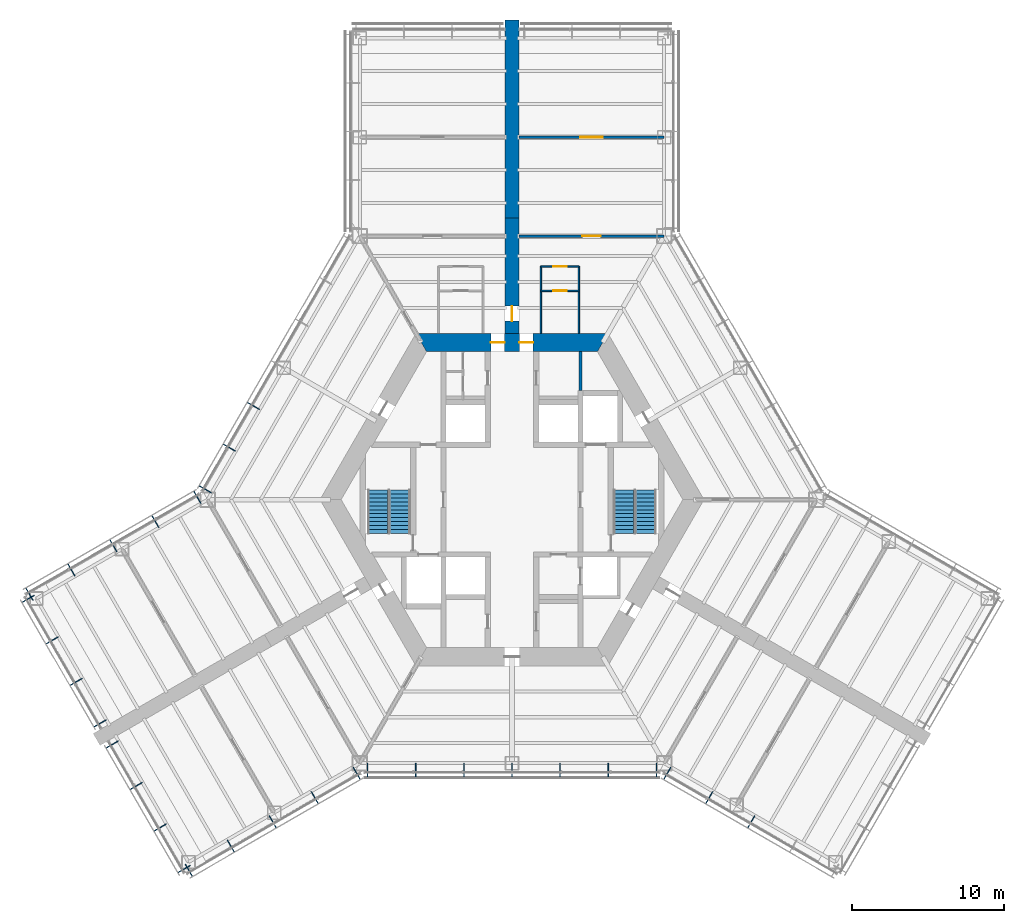
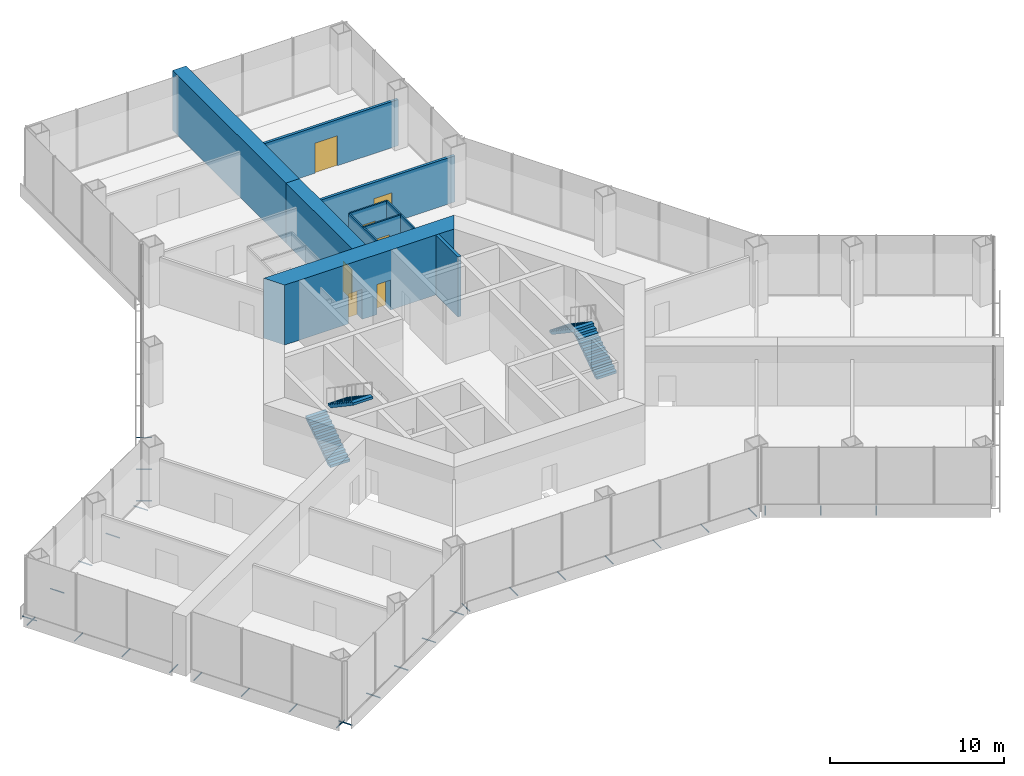
# One storey, part 13 of 15: 31 discrete accessories, 10 walls, 7 doors, 4 stair flights, 7 openings, 2 elements without a shape of their own.
"""IFC4 building model written with IfcOpenShell, lengths in metres."""

from ifc_helpers import new_model, si_unit, direction, frame, frame_2d, origin, origin_2d, place, context, subcontext, project, spatial, polyline, rectangle, hollow_circle, outline, extrude, material, layer, layer_set, material_profile, profile_set, type_object, element, fill, aggregate, save


model = new_model("IFC4")

# Units and contexts
model_context = context("Model", 3, precision=1e-05, world=origin(), true_north=direction((0.0, 1.0)))
body_context = subcontext(model_context, "Body", "Model", "MODEL_VIEW")
ifc_project = project(units=[si_unit("LENGTHUNIT", "METRE"), si_unit("AREAUNIT", "SQUARE_METRE"), si_unit("VOLUMEUNIT", "CUBIC_METRE"), si_unit("PLANEANGLEUNIT", "RADIAN"), si_unit("MASSUNIT", "GRAM", prefix="KILO")], contexts=[model_context])

# Site, building, storey
site_placement = place(None, origin())
site = spatial("IfcSite", under=ifc_project, at=site_placement, CompositionType="ELEMENT")
building_placement = place(site_placement, origin())
building = spatial("IfcBuilding", under=site, at=building_placement, Name="Kasaneha Research Tower", CompositionType="ELEMENT")
storey_placement = place(building_placement, frame((0.0, 0.0, 31.0)))
storey = spatial("IfcBuildingStorey", under=building, at=storey_placement, Name="L08", CompositionType="ELEMENT", Elevation=31.0)

# Wall, openings, doors
ifc_material_1 = material(Name="Concrete Fc100", Category="concrete")
ifc_layer_1 = layer(ifc_material_1, 1.199951171875)
ifc_layer_set_1 = layer_set([ifc_layer_1], Name="Core wall 1200 Fc100")
wall_type_1 = type_object("IfcWallType", Name="Core wall 1200 Fc100", PredefinedType="SHEAR", material=ifc_layer_set_1)
wall_1_placement = place(storey_placement, frame((5.961181640625, 10.324951171875, 0.0), z_axis=(0.0, 0.0, 1.0), x_axis=(-1.0, 0.0, 0.0)))
wall_1 = element("IfcWall", 1, at=wall_1_placement, inside=storey, type_object=wall_type_1, Name="Core wall 090 L08", PredefinedType="SHEAR", context=body_context, shape_type="SweptSolid", body=[
    extrude(outline(polyline([(-0.346435546875, -0.60009765625), (4.57373046875, -0.60009765625), (5.4736328125, -0.60009765625), (6.44873046875, -0.60009765625), (7.3486328125, -0.60009765625), (12.268798828125, -0.60009765625), (11.575927734375, 0.60009765625), (7.3486328125, 0.60009765625), (6.44873046875, 0.60009765625), (5.4736328125, 0.60009765625), (4.57373046875, 0.60009765625), (0.346435546875, 0.60009765625), (-0.346435546875, -0.60009765625)])), origin(), (0.0, 0.0, 1.0), 4.199951171875),
])
opening_1_placement = place(wall_1_placement, frame((6.44873046875, 0.0, 0.0)))
opening_1 = element("IfcOpeningElement", 2, at=opening_1_placement, cuts=wall_1, Name="Opening L08-D01", PredefinedType="OPENING", context=body_context, shape_type="SweptSolid", body=[
    extrude(rectangle(XDim=0.89990234375, YDim=2.10009765625, at=frame_2d((0.449951171875, 1.050048828125))), frame((0.0, 0.60986328125, 0.0), z_axis=(0.0, -1.0, 0.0), x_axis=(1.0, 0.0, 0.0)), (0.0, 0.0, 1.0), 1.219970703125),
])
opening_2_placement = place(wall_1_placement, frame((4.57373046875, 0.0, 0.0)))
opening_2 = element("IfcOpeningElement", 3, at=opening_2_placement, cuts=wall_1, Name="Opening L08-D02", PredefinedType="OPENING", context=body_context, shape_type="SweptSolid", body=[
    extrude(rectangle(XDim=0.89990234375, YDim=2.10009765625, at=frame_2d((0.449951171875, 1.050048828125))), frame((0.0, 0.60986328125, 0.0), z_axis=(0.0, -1.0, 0.0), x_axis=(1.0, 0.0, 0.0)), (0.0, 0.0, 1.0), 1.219970703125),
])
ifc_material_2 = material(Name="Steel", Category="steel")
door_type_1 = type_object("IfcDoorType", Name="Toilet door FD20 900x2100", OperationType="NOTDEFINED", PredefinedType="DOOR", material=ifc_material_2)
door_1_placement = place(opening_1_placement, origin())
door_1 = element("IfcDoor", 4, at=door_1_placement, inside=storey, type_object=door_type_1, Name="Core door north 1 L08-D01", OperationType="SINGLE_SWING_RIGHT", OverallHeight=2.10009765625, OverallWidth=0.89990234375, PredefinedType="DOOR", context=body_context, shape_type="SweptSolid", body=[
    extrude(rectangle(XDim=0.89990234375, YDim=2.10009765625, at=frame_2d((0.449951171875, 1.050048828125))), frame((0.0, 0.02490234375, 0.0), z_axis=(0.0, -1.0, 0.0), x_axis=(1.0, 0.0, 0.0)), (0.0, 0.0, 1.0), 0.050048828125),
])
fill(opening_1, door_1)
door_2_placement = place(opening_2_placement, origin())
door_2 = element("IfcDoor", 5, at=door_2_placement, inside=storey, type_object=door_type_1, Name="Core door north 2 L08-D02", OperationType="SINGLE_SWING_LEFT", OverallHeight=2.10009765625, OverallWidth=0.89990234375, PredefinedType="DOOR", context=body_context, shape_type="SweptSolid", body=[
    extrude(rectangle(XDim=0.89990234375, YDim=2.10009765625, at=frame_2d((0.449951171875, 1.050048828125))), frame((0.0, 0.02490234375, 0.0), z_axis=(0.0, -1.0, 0.0), x_axis=(1.0, 0.0, 0.0)), (0.0, 0.0, 1.0), 0.050048828125),
])
fill(opening_2, door_2)

# Wall, opening, door
ifc_material_3 = material(Name="Gypsum board on steel studs, two layers each side", Category="steel")
ifc_layer_2 = layer(ifc_material_3, 0.175048828125)
ifc_layer_set_2 = layer_set([ifc_layer_2], Name="Laboratory fire partition 175")
wall_type_2 = type_object("IfcWallType", Name="Laboratory fire partition 175", PredefinedType="PARTITIONING", material=ifc_layer_set_2)
wall_2_placement = place(storey_placement, frame((0.449951171875, 17.320556640625, 0.0), z_axis=(0.0, 0.0, 1.0), x_axis=(1.0, 0.0, 0.0)))
wall_2 = element("IfcWall", 6, at=wall_2_placement, inside=storey, type_object=wall_type_2, Name="Laboratory fire partition LABA-E L08", PredefinedType="PARTITIONING", context=body_context, shape_type="SweptSolid", body=[
    extrude(rectangle(XDim=9.550048828125, YDim=0.175048828125, at=frame_2d((4.77490234375, 0.0))), origin(), (0.0, 0.0, 1.0), 3.238037109375),
])
opening_3_placement = place(wall_2_placement, frame((4.175048828125, 0.0, 0.0)))
opening_3 = element("IfcOpeningElement", 7, at=opening_3_placement, cuts=wall_2, Name="Opening L08-D27", PredefinedType="OPENING", context=body_context, shape_type="SweptSolid", body=[
    extrude(rectangle(XDim=1.199951171875, YDim=2.10009765625, at=frame_2d((0.60009765625, 1.050048828125))), frame((0.0, 0.09765625, 0.0), z_axis=(0.0, -1.0, 0.0), x_axis=(1.0, 0.0, 0.0)), (0.0, 0.0, 1.0), 0.195068359375),
])
ifc_material_4 = material(Name="Steel", Category="steel")
door_type_2 = type_object("IfcDoorType", Name="Laboratory door FD60 1200x2100", OperationType="DOUBLE_DOOR_SINGLE_SWING", PredefinedType="DOOR", material=ifc_material_4)
door_3_placement = place(opening_3_placement, origin())
door_3 = element("IfcDoor", 8, at=door_3_placement, inside=storey, type_object=door_type_2, Name="Laboratory door L08-D27", OperationType="DOUBLE_DOOR_SINGLE_SWING", OverallHeight=2.10009765625, OverallWidth=1.199951171875, PredefinedType="DOOR", context=body_context, shape_type="SweptSolid", body=[
    extrude(rectangle(XDim=1.199951171875, YDim=2.10009765625, at=frame_2d((0.60009765625, 1.050048828125))), frame((0.0, 0.02490234375, 0.0), z_axis=(0.0, -1.0, 0.0), x_axis=(1.0, 0.0, 0.0)), (0.0, 0.0, 1.0), 0.050048828125),
])
fill(opening_3, door_3)

wall_3_placement = place(storey_placement, frame((0.449951171875, 23.820556640625, 0.0), z_axis=(0.0, 0.0, 1.0), x_axis=(1.0, 0.0, 0.0)))
wall_3 = element("IfcWall", 9, at=wall_3_placement, inside=storey, type_object=wall_type_2, Name="Laboratory fire partition INSA-E L08", PredefinedType="PARTITIONING", context=body_context, shape_type="SweptSolid", body=[
    extrude(rectangle(XDim=9.550048828125, YDim=0.175048828125, at=frame_2d((4.77490234375, 0.0))), origin(), (0.0, 0.0, 1.0), 3.22998046875),
])
opening_4_placement = place(wall_3_placement, frame((4.02490234375, 0.0, 0.0)))
opening_4 = element("IfcOpeningElement", 10, at=opening_4_placement, cuts=wall_3, Name="Opening L08-D28", PredefinedType="OPENING", context=body_context, shape_type="SweptSolid", body=[
    extrude(rectangle(XDim=1.5, YDim=2.10009765625, at=frame_2d((0.75, 1.050048828125))), frame((0.0, 0.09765625, 0.0), z_axis=(0.0, -1.0, 0.0), x_axis=(1.0, 0.0, 0.0)), (0.0, 0.0, 1.0), 0.195068359375),
])
ifc_material_5 = material(Name="Steel", Category="steel")
door_type_3 = type_object("IfcDoorType", Name="Laboratory door FD60 1500x2100", OperationType="DOUBLE_DOOR_SINGLE_SWING", PredefinedType="DOOR", material=ifc_material_5)
door_4_placement = place(opening_4_placement, origin())
door_4 = element("IfcDoor", 11, at=door_4_placement, inside=storey, type_object=door_type_3, Name="Instrument room door L08-D28", OperationType="DOUBLE_DOOR_SINGLE_SWING", OverallHeight=2.10009765625, OverallWidth=1.5, PredefinedType="DOOR", context=body_context, shape_type="SweptSolid", body=[
    extrude(rectangle(XDim=1.5, YDim=2.10009765625, at=frame_2d((0.75, 1.050048828125))), frame((0.0, 0.02490234375, 0.0), z_axis=(0.0, -1.0, 0.0), x_axis=(1.0, 0.0, 0.0)), (0.0, 0.0, 1.0), 0.050048828125),
])
fill(opening_4, door_4)

ifc_material_6 = material(Name="Gypsum board on steel studs, one layer each side", Category="steel")
ifc_layer_3 = layer(ifc_material_6, 0.10009765625)
ifc_layer_set_3 = layer_set([ifc_layer_3], Name="Office partition 100")
wall_type_3 = type_object("IfcWallType", Name="Office partition 100", PredefinedType="PARTITIONING", material=ifc_layer_set_3)
wall_4_placement = place(storey_placement, frame((1.89990234375, 13.72509765625, 0.0), z_axis=(0.0, 0.0, 1.0), x_axis=(1.0, 0.0, 0.0)))
wall_4 = element("IfcWall", 12, at=wall_4_placement, inside=storey, type_object=wall_type_3, Name="Office partition WCAE1 L08", PredefinedType="PARTITIONING", context=body_context, shape_type="SweptSolid", body=[
    extrude(rectangle(XDim=2.5, YDim=0.10009765625, at=frame_2d((1.25, 0.0))), origin(), (0.0, 0.0, 1.0), 3.22998046875),
])
opening_5_placement = place(wall_4_placement, frame((0.800048828125, 0.0, 0.0)))
opening_5 = element("IfcOpeningElement", 13, at=opening_5_placement, cuts=wall_4, Name="Opening L08-D25", PredefinedType="OPENING", context=body_context, shape_type="SweptSolid", body=[
    extrude(rectangle(XDim=0.89990234375, YDim=2.10009765625, at=frame_2d((0.449951171875, 1.050048828125))), frame((0.0, 0.06005859375, 0.0), z_axis=(0.0, -1.0, 0.0), x_axis=(1.0, 0.0, 0.0)), (0.0, 0.0, 1.0), 0.1201171875),
])
ifc_material_7 = material(Name="Steel", Category="steel")
door_type_4 = type_object("IfcDoorType", Name="Toilet lobby door FD30 900x2100", OperationType="NOTDEFINED", PredefinedType="DOOR", material=ifc_material_7)
door_5_placement = place(opening_5_placement, origin())
door_5 = element("IfcDoor", 14, at=door_5_placement, inside=storey, type_object=door_type_4, Name="Women's WC door L08-D25", OperationType="SINGLE_SWING_LEFT", OverallHeight=2.10009765625, OverallWidth=0.89990234375, PredefinedType="DOOR", context=body_context, shape_type="SweptSolid", body=[
    extrude(rectangle(XDim=0.89990234375, YDim=2.10009765625, at=frame_2d((0.449951171875, 1.050048828125))), frame((0.0, 0.02490234375, 0.0), z_axis=(0.0, -1.0, 0.0), x_axis=(1.0, 0.0, 0.0)), (0.0, 0.0, 1.0), 0.050048828125),
])
fill(opening_5, door_5)

wall_5_placement = place(storey_placement, frame((1.89990234375, 15.324951171875, 0.0), z_axis=(0.0, 0.0, 1.0), x_axis=(1.0, 0.0, 0.0)))
wall_5 = element("IfcWall", 15, at=wall_5_placement, inside=storey, type_object=wall_type_3, Name="Office partition WCAE4 L08", PredefinedType="PARTITIONING", context=body_context, shape_type="SweptSolid", body=[
    extrude(rectangle(XDim=2.5, YDim=0.10009765625, at=frame_2d((1.25, 0.0))), origin(), (0.0, 0.0, 1.0), 3.22998046875),
])
opening_6_placement = place(wall_5_placement, frame((0.800048828125, 0.0, 0.0)))
opening_6 = element("IfcOpeningElement", 16, at=opening_6_placement, cuts=wall_5, Name="Opening L08-D26", PredefinedType="OPENING", context=body_context, shape_type="SweptSolid", body=[
    extrude(rectangle(XDim=0.89990234375, YDim=2.10009765625, at=frame_2d((0.449951171875, 1.050048828125))), frame((0.0, 0.06005859375, 0.0), z_axis=(0.0, -1.0, 0.0), x_axis=(1.0, 0.0, 0.0)), (0.0, 0.0, 1.0), 0.1201171875),
])
door_6_placement = place(opening_6_placement, origin())
door_6 = element("IfcDoor", 17, at=door_6_placement, inside=storey, type_object=door_type_4, Name="Toilet lobby door L08-D26", OperationType="SINGLE_SWING_LEFT", OverallHeight=2.10009765625, OverallWidth=0.89990234375, PredefinedType="DOOR", context=body_context, shape_type="SweptSolid", body=[
    extrude(rectangle(XDim=0.89990234375, YDim=2.10009765625, at=frame_2d((0.449951171875, 1.050048828125))), frame((0.0, 0.02490234375, 0.0), z_axis=(0.0, -1.0, 0.0), x_axis=(1.0, 0.0, 0.0)), (0.0, 0.0, 1.0), 0.050048828125),
])
fill(opening_6, door_6)

# Walls
for number, where, z_axis, x_axis, name in (
    (18, (1.89990234375, 10.925048828125, 0.0), (0.0, 0.0, 1.0), (0.0, 1.0, 0.0), "Office partition WCAE2 L08"),
    (19, (4.39990234375, 10.925048828125, 0.0), (0.0, 0.0, 1.0), (0.0, 1.0, 0.0), "Office partition WCAE3 L08"),
):
    element("IfcWall", number, at=place(storey_placement, frame(where, z_axis=z_axis, x_axis=x_axis)), inside=storey, type_object=wall_type_3, Name=name, PredefinedType="PARTITIONING", context=body_context, shape_type="SweptSolid", body=[
        extrude(rectangle(XDim=4.39990234375, YDim=0.10009765625, at=frame_2d((2.199951171875, 0.0))), origin(), (0.0, 0.0, 1.0), 3.22998046875),
    ])
ifc_material_8 = material(Name="Concrete block", Category="concrete")
ifc_layer_4 = layer(ifc_material_8, 0.199951171875)
ifc_layer_set_4 = layer_set([ifc_layer_4], Name="Riser enclosure wall 200")
wall_type_4 = type_object("IfcWallType", Name="Riser enclosure wall 200", PredefinedType="STANDARD", material=ifc_layer_set_4)
wall_6_placement = place(storey_placement, frame((4.5, 7.175048828125, 0.0), z_axis=(0.0, 0.0, 1.0), x_axis=(0.0, 1.0, 0.0)))
element("IfcWall", 20, at=wall_6_placement, inside=storey, type_object=wall_type_4, Name="Riser enclosure wall L08", PredefinedType="STANDARD", context=body_context, shape_type="SweptSolid", body=[
    extrude(rectangle(XDim=2.550048828125, YDim=0.199951171875, at=frame_2d((1.27490234375, 0.0))), origin(), (0.0, 0.0, 1.0), 4.199951171875),
])

# Wall, opening, door
ifc_material_9 = material(Name="Concrete Fc100", Category="concrete")
ifc_layer_5 = layer(ifc_material_9, 0.89990234375)
ifc_layer_set_5 = layer_set([ifc_layer_5], Name="Spine wall 900 Fc100")
wall_type_5 = type_object("IfcWallType", Name="Spine wall 900 Fc100", PredefinedType="SHEAR", material=ifc_layer_set_5)
wall_7_placement = place(storey_placement, frame((0.0, 10.925048828125, 0.0), z_axis=(0.0, 0.0, 1.0), x_axis=(0.0, 1.0, 0.0)))
wall_7 = element("IfcWall", 21, at=wall_7_placement, inside=storey, type_object=wall_type_5, Name="Spine wall A L08", PredefinedType="SHEAR", context=body_context, shape_type="SweptSolid", body=[
    extrude(rectangle(XDim=7.595458984375, YDim=0.89990234375, at=frame_2d((3.7978515625, 0.0))), origin(), (0.0, 0.0, 1.0), 4.199951171875),
])
opening_7_placement = place(wall_7_placement, frame((0.800048828125, 0.0, 0.0)))
opening_7 = element("IfcOpeningElement", 22, at=opening_7_placement, cuts=wall_7, Name="Opening L08-D17", PredefinedType="OPENING", context=body_context, shape_type="SweptSolid", body=[
    extrude(rectangle(XDim=1.0, YDim=2.10009765625, at=frame_2d((0.5, 1.050048828125))), frame((0.0, 0.4599609375, 0.0), z_axis=(0.0, -1.0, 0.0), x_axis=(1.0, 0.0, 0.0)), (0.0, 0.0, 1.0), 0.919921875),
])
ifc_material_10 = material(Name="Steel", Category="steel")
door_type_5 = type_object("IfcDoorType", Name="Specified fire door FD60 1000x2100", OperationType="NOTDEFINED", PredefinedType="DOOR", material=ifc_material_10)
door_7_placement = place(opening_7_placement, origin())
door_7 = element("IfcDoor", 23, at=door_7_placement, inside=storey, type_object=door_type_5, Name="Spine doorway A L08-D17", OperationType="SINGLE_SWING_LEFT", OverallHeight=2.10009765625, OverallWidth=1.0, PredefinedType="DOOR", context=body_context, shape_type="SweptSolid", body=[
    extrude(rectangle(XDim=1.0, YDim=2.10009765625, at=frame_2d((0.5, 1.050048828125))), frame((0.0, 0.02490234375, 0.0), z_axis=(0.0, -1.0, 0.0), x_axis=(1.0, 0.0, 0.0)), (0.0, 0.0, 1.0), 0.050048828125),
])
fill(opening_7, door_7)

# Wall
wall_8_placement = place(storey_placement, frame((0.0, 18.5205078125, 0.0), z_axis=(0.0, 0.0, 1.0), x_axis=(0.0, 1.0, 0.0)))
element("IfcWall", 24, at=wall_8_placement, inside=storey, type_object=wall_type_5, Name="Spine wall A wing L08", PredefinedType="SHEAR", context=body_context, shape_type="SweptSolid", body=[
    extrude(rectangle(XDim=13.0, YDim=0.89990234375, at=frame_2d((6.5, 0.0))), origin(), (0.0, 0.0, 1.0), 4.199951171875),
])

# Stair, stair flights
ifc_material_11 = material(Name="Concrete Fc24", Category="concrete")
stair_type = type_object("IfcStairType", Name="Half-turn stair 24 risers", PredefinedType="HALF_TURN_STAIR", material=ifc_material_11)
stair_1_placement = place(storey_placement, origin())
stair_1 = element("IfcStair", 25, at=stair_1_placement, inside=storey, type_object=stair_type, Name="Stair 1 L08", PredefinedType="HALF_TURN_STAIR")
ifc_material_12 = material(Name="Concrete Fc24", Category="concrete")
stair_flight_type = type_object("IfcStairFlightType", Name="Stair flight 12 risers 175.0", PredefinedType="STRAIGHT", material=ifc_material_12)
stair_flight_1_placement = place(storey_placement, frame((8.824951171875, -2.22509765625, 0.0), z_axis=(0.0, 0.0, 1.0), x_axis=(0.0, 1.0, 0.0)))
stair_flight_1 = element("IfcStairFlight", 26, at=stair_flight_1_placement, type_object=stair_flight_type, Name="ST1-24R flight 1", NumberOfRisers=12, NumberOfTreads=11, PredefinedType="STRAIGHT", RiserHeight=0.175, TreadLength=0.26, context=body_context, shape_type="SweptSolid", body=[
    extrude(outline(polyline([(0.0, 0.0), (0.0, 0.175048828125), (0.260009765625, 0.175048828125), (0.260009765625, 0.35009765625), (0.52001953125, 0.35009765625), (0.52001953125, 0.52490234375), (0.780029296875, 0.52490234375), (0.780029296875, 0.699951171875), (1.0400390625, 0.699951171875), (1.0400390625, 0.875), (1.300048828125, 0.875), (1.300048828125, 1.050048828125), (1.56005859375, 1.050048828125), (1.56005859375, 1.22509765625), (1.820068359375, 1.22509765625), (1.820068359375, 1.39990234375), (2.080078125, 1.39990234375), (2.080078125, 1.574951171875), (2.340087890625, 1.574951171875), (2.340087890625, 1.75), (2.60009765625, 1.75), (2.60009765625, 1.925048828125), (2.860107421875, 1.925048828125), (2.860107421875, 2.10009765625), (2.860107421875, 1.744384765625), (0.2685546875, 0.0), (0.0, 0.0)])), frame((0.0, 0.64990234375, 0.0), z_axis=(0.0, -1.0, 0.0), x_axis=(1.0, 0.0, 0.0)), (0.0, 0.0, 1.0), 1.300048828125),
])
stair_flight_2_placement = place(storey_placement, frame((7.324951171875, 0.635009765625, 2.10009765625), z_axis=(0.0, 0.0, 1.0), x_axis=(0.0, -1.0, 0.0)))
stair_flight_2 = element("IfcStairFlight", 27, at=stair_flight_2_placement, type_object=stair_flight_type, Name="ST1-24R flight 2", NumberOfRisers=12, NumberOfTreads=11, PredefinedType="STRAIGHT", RiserHeight=0.175, TreadLength=0.26, context=body_context, shape_type="SweptSolid", body=[
    extrude(outline(polyline([(0.0, 0.0), (0.0, 0.175048828125), (0.260009765625, 0.175048828125), (0.260009765625, 0.35009765625), (0.52001953125, 0.35009765625), (0.52001953125, 0.52490234375), (0.780029296875, 0.52490234375), (0.780029296875, 0.699951171875), (1.0400390625, 0.699951171875), (1.0400390625, 0.875), (1.300048828125, 0.875), (1.300048828125, 1.050048828125), (1.56005859375, 1.050048828125), (1.56005859375, 1.22509765625), (1.820068359375, 1.22509765625), (1.820068359375, 1.39990234375), (2.080078125, 1.39990234375), (2.080078125, 1.574951171875), (2.340087890625, 1.574951171875), (2.340087890625, 1.75), (2.60009765625, 1.75), (2.60009765625, 1.925048828125), (2.860107421875, 1.925048828125), (2.860107421875, 2.10009765625), (2.860107421875, 1.744384765625), (0.2685546875, 0.0), (0.0, 0.0)])), frame((0.0, 0.64990234375, 0.0), z_axis=(0.0, -1.0, 0.0), x_axis=(1.0, 0.0, 0.0)), (0.0, 0.0, 1.0), 1.300048828125),
])
aggregate(stair_1, [stair_flight_1, stair_flight_2])

stair_2_placement = place(storey_placement, origin())
stair_2 = element("IfcStair", 28, at=stair_2_placement, inside=storey, type_object=stair_type, Name="Stair 2 L08", PredefinedType="HALF_TURN_STAIR")
stair_flight_3_placement = place(storey_placement, frame((-8.824951171875, -2.22509765625, 0.0), z_axis=(0.0, 0.0, 1.0), x_axis=(0.0, 1.0, 0.0)))
stair_flight_3 = element("IfcStairFlight", 29, at=stair_flight_3_placement, type_object=stair_flight_type, Name="ST2-24R flight 1", NumberOfRisers=12, NumberOfTreads=11, PredefinedType="STRAIGHT", RiserHeight=0.175, TreadLength=0.26, context=body_context, shape_type="SweptSolid", body=[
    extrude(outline(polyline([(0.0, 0.0), (0.0, 0.175048828125), (0.260009765625, 0.175048828125), (0.260009765625, 0.35009765625), (0.52001953125, 0.35009765625), (0.52001953125, 0.52490234375), (0.780029296875, 0.52490234375), (0.780029296875, 0.699951171875), (1.0400390625, 0.699951171875), (1.0400390625, 0.875), (1.300048828125, 0.875), (1.300048828125, 1.050048828125), (1.56005859375, 1.050048828125), (1.56005859375, 1.22509765625), (1.820068359375, 1.22509765625), (1.820068359375, 1.39990234375), (2.080078125, 1.39990234375), (2.080078125, 1.574951171875), (2.340087890625, 1.574951171875), (2.340087890625, 1.75), (2.60009765625, 1.75), (2.60009765625, 1.925048828125), (2.860107421875, 1.925048828125), (2.860107421875, 2.10009765625), (2.860107421875, 1.744384765625), (0.2685546875, 0.0), (0.0, 0.0)])), frame((0.0, 0.64990234375, 0.0), z_axis=(0.0, -1.0, 0.0), x_axis=(1.0, 0.0, 0.0)), (0.0, 0.0, 1.0), 1.300048828125),
])
stair_flight_4_placement = place(storey_placement, frame((-7.324951171875, 0.635009765625, 2.10009765625), z_axis=(0.0, 0.0, 1.0), x_axis=(0.0, -1.0, 0.0)))
stair_flight_4 = element("IfcStairFlight", 30, at=stair_flight_4_placement, type_object=stair_flight_type, Name="ST2-24R flight 2", NumberOfRisers=12, NumberOfTreads=11, PredefinedType="STRAIGHT", RiserHeight=0.175, TreadLength=0.26, context=body_context, shape_type="SweptSolid", body=[
    extrude(outline(polyline([(0.0, 0.0), (0.0, 0.175048828125), (0.260009765625, 0.175048828125), (0.260009765625, 0.35009765625), (0.52001953125, 0.35009765625), (0.52001953125, 0.52490234375), (0.780029296875, 0.52490234375), (0.780029296875, 0.699951171875), (1.0400390625, 0.699951171875), (1.0400390625, 0.875), (1.300048828125, 0.875), (1.300048828125, 1.050048828125), (1.56005859375, 1.050048828125), (1.56005859375, 1.22509765625), (1.820068359375, 1.22509765625), (1.820068359375, 1.39990234375), (2.080078125, 1.39990234375), (2.080078125, 1.574951171875), (2.340087890625, 1.574951171875), (2.340087890625, 1.75), (2.60009765625, 1.75), (2.60009765625, 1.925048828125), (2.860107421875, 1.925048828125), (2.860107421875, 2.10009765625), (2.860107421875, 1.744384765625), (0.2685546875, 0.0), (0.0, 0.0)])), frame((0.0, 0.64990234375, 0.0), z_axis=(0.0, -1.0, 0.0), x_axis=(1.0, 0.0, 0.0)), (0.0, 0.0, 1.0), 1.300048828125),
])
aggregate(stair_2, [stair_flight_3, stair_flight_4])

# Discrete accessories
ifc_material_13 = material(Name="Steel STK400", Category="steel")
ifc_material_profile = material_profile(ifc_material_13, hollow_circle(Radius=0.0380859375, WallThickness=0.00390625, at=origin_2d()), Name="CHS-76.3x4.0")
ifc_profile_set = profile_set([ifc_material_profile], Name="Steel STK400")
discrete_accessory_type = type_object("IfcDiscreteAccessoryType", Name="Screen bracket CHS-76.3x4.0", PredefinedType="BRACKET", material=ifc_profile_set)
discrete_accessory_1_placement = place(storey_placement, frame((-21.474853515625, -23.945556640625, -0.320068359375), z_axis=(0.500021113727, -0.866013213425, 0.0), x_axis=(0.866013213425, 0.500021113727, 0.0)))
element("IfcDiscreteAccessory", 31, at=discrete_accessory_1_placement, inside=storey, type_object=discrete_accessory_type, Name="Screen bracket 1", PredefinedType="BRACKET", context=body_context, shape_type="SweptSolid", body=[
    extrude(hollow_circle(Radius=0.0380859375, WallThickness=0.00390625, at=origin_2d()), origin(), (0.0, 0.0, 1.0), 0.919921875),
])
discrete_accessory_2_placement = place(storey_placement, frame((-18.716796875, -22.35302734375, -0.320068359375), z_axis=(0.500105201737, -0.865964657013, 0.0), x_axis=(0.865964657013, 0.500105201737, 0.0)))
element("IfcDiscreteAccessory", 32, at=discrete_accessory_2_placement, inside=storey, type_object=discrete_accessory_type, Name="Screen bracket 2", PredefinedType="BRACKET", context=body_context, shape_type="SweptSolid", body=[
    extrude(hollow_circle(Radius=0.0380859375, WallThickness=0.00390625, at=origin_2d()), origin(), (0.0, 0.0, 1.0), 0.920166015625),
])
discrete_accessory_3_placement = place(storey_placement, frame((-15.95849609375, -20.7607421875, -0.320068359375), z_axis=(0.500021113727, -0.866013213425, 0.0), x_axis=(0.866013213425, 0.500021113727, 0.0)))
element("IfcDiscreteAccessory", 33, at=discrete_accessory_3_placement, inside=storey, type_object=discrete_accessory_type, Name="Screen bracket 3", PredefinedType="BRACKET", context=body_context, shape_type="SweptSolid", body=[
    extrude(hollow_circle(Radius=0.0380859375, WallThickness=0.00390625, at=origin_2d()), origin(), (0.0, 0.0, 1.0), 0.919921875),
])
discrete_accessory_4_placement = place(storey_placement, frame((-13.200439453125, -19.168212890625, -0.320068359375), z_axis=(0.499906209203, -0.866079547155, 0.0), x_axis=(0.866079547155, 0.499906209203, 0.0)))
element("IfcDiscreteAccessory", 34, at=discrete_accessory_4_placement, inside=storey, type_object=discrete_accessory_type, Name="Screen bracket 4", PredefinedType="BRACKET", context=body_context, shape_type="SweptSolid", body=[
    extrude(hollow_circle(Radius=0.0380859375, WallThickness=0.00390625, at=origin_2d()), origin(), (0.0, 0.0, 1.0), 0.920166015625),
])
for number, where, z_axis, x_axis, name in (
    (35, (-10.4423828125, -17.575927734375, -0.320068359375), (0.500021113727, -0.866013213425, 0.0), (0.866013213425, 0.500021113727, 0.0), "Screen bracket 5"),
    (36, (-9.4892578125, -17.320556640625, -0.320068359375), (0.0, -1.0, 0.0), (1.0, 0.0, 0.0), "Screen bracket 1"),
    (37, (-6.326171875, -17.320556640625, -0.320068359375), (0.0, -1.0, 0.0), (1.0, 0.0, 0.0), "Screen bracket 2"),
    (38, (-3.1630859375, -17.320556640625, -0.320068359375), (0.0, -1.0, 0.0), (1.0, 0.0, 0.0), "Screen bracket 3"),
    (39, (0.0, -17.320556640625, -0.320068359375), (0.0, -1.0, 0.0), (1.0, 0.0, 0.0), "Screen bracket 4"),
    (40, (3.1630859375, -17.320556640625, -0.320068359375), (0.0, -1.0, 0.0), (1.0, 0.0, 0.0), "Screen bracket 5"),
    (41, (6.326171875, -17.320556640625, -0.320068359375), (0.0, -1.0, 0.0), (1.0, 0.0, 0.0), "Screen bracket 6"),
    (42, (9.4892578125, -17.320556640625, -0.320068359375), (0.0, -1.0, 0.0), (1.0, 0.0, 0.0), "Screen bracket 7"),
    (43, (10.4423828125, -17.575927734375, -0.320068359375), (-0.500021113727, -0.866013213425, 0.0), (0.866013213425, -0.500021113727, 0.0), "Screen bracket 1"),
):
    element("IfcDiscreteAccessory", number, at=place(storey_placement, frame(where, z_axis=z_axis, x_axis=x_axis)), inside=storey, type_object=discrete_accessory_type, Name=name, PredefinedType="BRACKET", context=body_context, shape_type="SweptSolid", body=[
        extrude(hollow_circle(Radius=0.0380859375, WallThickness=0.00390625, at=origin_2d()), origin(), (0.0, 0.0, 1.0), 0.919921875),
    ])
discrete_accessory_5_placement = place(storey_placement, frame((13.200439453125, -19.168212890625, -0.320068359375), z_axis=(-0.499906209203, -0.866079547155, 0.0), x_axis=(0.866079547155, -0.499906209203, 0.0)))
element("IfcDiscreteAccessory", 44, at=discrete_accessory_5_placement, inside=storey, type_object=discrete_accessory_type, Name="Screen bracket 2", PredefinedType="BRACKET", context=body_context, shape_type="SweptSolid", body=[
    extrude(hollow_circle(Radius=0.0380859375, WallThickness=0.00390625, at=origin_2d()), origin(), (0.0, 0.0, 1.0), 0.920166015625),
])
for number, where, z_axis, x_axis, name in (
    (45, (15.95849609375, -20.7607421875, -0.320068359375), (-0.500021113727, -0.866013213425, 0.0), (0.866013213425, -0.500021113727, 0.0), "Screen bracket 3"),
    (46, (-16.58154296875, 5.9208984375, -0.320068359375), (-0.866013213425, 0.500021113727, 0.0), (-0.500021113727, -0.866013213425, 0.0), "Screen bracket 5"),
    (47, (-18.1630859375, 3.181640625, -0.320068359375), (-0.866013213425, 0.500021113727, 0.0), (-0.500021113727, -0.866013213425, 0.0), "Screen bracket 6"),
    (48, (-19.74462890625, 0.4423828125, -0.320068359375), (-0.866013213425, 0.500021113727, 0.0), (-0.500021113727, -0.866013213425, 0.0), "Screen bracket 7"),
    (49, (-20.4423828125, -0.25537109375, -0.320068359375), (-0.500021113727, 0.866013213425, 0.0), (-0.866013213425, -0.500021113727, 0.0), "Screen bracket 1"),
):
    element("IfcDiscreteAccessory", number, at=place(storey_placement, frame(where, z_axis=z_axis, x_axis=x_axis)), inside=storey, type_object=discrete_accessory_type, Name=name, PredefinedType="BRACKET", context=body_context, shape_type="SweptSolid", body=[
        extrude(hollow_circle(Radius=0.0380859375, WallThickness=0.00390625, at=origin_2d()), origin(), (0.0, 0.0, 1.0), 0.919921875),
    ])
discrete_accessory_6_placement = place(storey_placement, frame((-23.200439453125, -1.847900390625, -0.320068359375), z_axis=(-0.499906209203, 0.866079547155, 0.0), x_axis=(-0.866079547155, -0.499906209203, 0.0)))
element("IfcDiscreteAccessory", 50, at=discrete_accessory_6_placement, inside=storey, type_object=discrete_accessory_type, Name="Screen bracket 2", PredefinedType="BRACKET", context=body_context, shape_type="SweptSolid", body=[
    extrude(hollow_circle(Radius=0.0380859375, WallThickness=0.00390625, at=origin_2d()), origin(), (0.0, 0.0, 1.0), 0.920166015625),
])
discrete_accessory_7_placement = place(storey_placement, frame((-25.95849609375, -3.440185546875, -0.320068359375), z_axis=(-0.500220121494, 0.865898279276, 0.0), x_axis=(-0.865898279276, -0.500220121494, 0.0)))
element("IfcDiscreteAccessory", 51, at=discrete_accessory_7_placement, inside=storey, type_object=discrete_accessory_type, Name="Screen bracket 3", PredefinedType="BRACKET", context=body_context, shape_type="SweptSolid", body=[
    extrude(hollow_circle(Radius=0.0380859375, WallThickness=0.00390625, at=origin_2d()), origin(), (0.0, 0.0, 1.0), 0.919921875),
])
discrete_accessory_8_placement = place(storey_placement, frame((-28.716796875, -5.03271484375, -0.320068359375), z_axis=(-0.499906209203, 0.866079547155, 0.0), x_axis=(-0.866079547155, -0.499906209203, 0.0)))
element("IfcDiscreteAccessory", 52, at=discrete_accessory_8_placement, inside=storey, type_object=discrete_accessory_type, Name="Screen bracket 4", PredefinedType="BRACKET", context=body_context, shape_type="SweptSolid", body=[
    extrude(hollow_circle(Radius=0.0380859375, WallThickness=0.00390625, at=origin_2d()), origin(), (0.0, 0.0, 1.0), 0.920166015625),
])
discrete_accessory_9_placement = place(storey_placement, frame((-31.474853515625, -6.625, -0.320068359375), z_axis=(-0.500021113727, 0.866013213425, 0.0), x_axis=(-0.866013213425, -0.500021113727, 0.0)))
element("IfcDiscreteAccessory", 53, at=discrete_accessory_9_placement, inside=storey, type_object=discrete_accessory_type, Name="Screen bracket 5", PredefinedType="BRACKET", context=body_context, shape_type="SweptSolid", body=[
    extrude(hollow_circle(Radius=0.0380859375, WallThickness=0.00390625, at=origin_2d()), origin(), (0.0, 0.0, 1.0), 0.919921875),
])
discrete_accessory_10_placement = place(storey_placement, frame((-31.38330078125, -6.283447265625, -0.320068359375), z_axis=(-0.866079547155, -0.499906209203, 0.0), x_axis=(0.499906209203, -0.866079547155, 0.0)))
element("IfcDiscreteAccessory", 54, at=discrete_accessory_10_placement, inside=storey, type_object=discrete_accessory_type, Name="Screen bracket 1", PredefinedType="BRACKET", context=body_context, shape_type="SweptSolid", body=[
    extrude(hollow_circle(Radius=0.0380859375, WallThickness=0.00390625, at=origin_2d()), origin(), (0.0, 0.0, 1.0), 0.920166015625),
])
for number, where, z_axis, x_axis, name in (
    (55, (-29.808349609375, -9.011474609375, -0.320068359375), (-0.866013213425, -0.500021113727, 0.0), (0.500021113727, -0.866013213425, 0.0), "Screen bracket 2"),
    (56, (-28.2333984375, -11.739501953125, -0.320068359375), (-0.866013213425, -0.500021113727, 0.0), (0.500021113727, -0.866013213425, 0.0), "Screen bracket 3"),
    (57, (-26.658447265625, -14.467529296875, -0.320068359375), (-0.866013213425, -0.500021113727, 0.0), (0.500021113727, -0.866013213425, 0.0), "Screen bracket 4"),
    (58, (-25.8583984375, -15.85302734375, -0.320068359375), (-0.866013213425, -0.500021113727, 0.0), (0.500021113727, -0.866013213425, 0.0), "Screen bracket 1"),
    (59, (-24.283447265625, -18.5810546875, -0.320068359375), (-0.866013213425, -0.500021113727, 0.0), (0.500021113727, -0.866013213425, 0.0), "Screen bracket 2"),
):
    element("IfcDiscreteAccessory", number, at=place(storey_placement, frame(where, z_axis=z_axis, x_axis=x_axis)), inside=storey, type_object=discrete_accessory_type, Name=name, PredefinedType="BRACKET", context=body_context, shape_type="SweptSolid", body=[
        extrude(hollow_circle(Radius=0.0380859375, WallThickness=0.00390625, at=origin_2d()), origin(), (0.0, 0.0, 1.0), 0.919921875),
    ])
for number, where, z_axis, x_axis, name in (
    (60, (-22.708251953125, -21.30908203125, -0.320068359375), (-0.866079547155, -0.499906209203, 0.0), (0.499906209203, -0.866079547155, 0.0), "Screen bracket 3"),
    (61, (-21.13330078125, -24.037109375, -0.320068359375), (-0.866079547155, -0.499906209203, 0.0), (0.499906209203, -0.866079547155, 0.0), "Screen bracket 4"),
):
    element("IfcDiscreteAccessory", number, at=place(storey_placement, frame(where, z_axis=z_axis, x_axis=x_axis)), inside=storey, type_object=discrete_accessory_type, Name=name, PredefinedType="BRACKET", context=body_context, shape_type="SweptSolid", body=[
        extrude(hollow_circle(Radius=0.0380859375, WallThickness=0.00390625, at=origin_2d()), origin(), (0.0, 0.0, 1.0), 0.920166015625),
    ])

save(model, "model.ifc")
